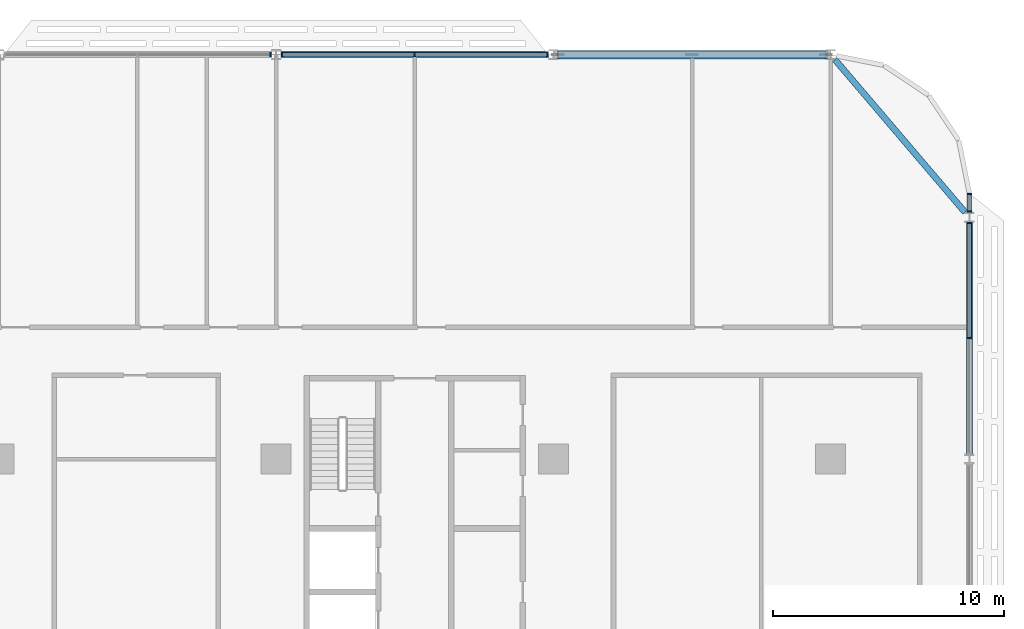
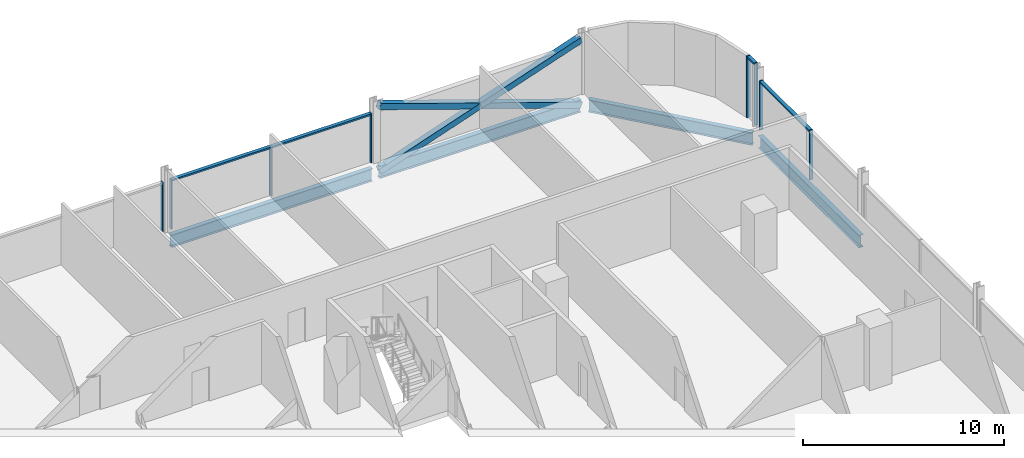
# One storey, part 10 of 28: 15 members, 4 beams, 4 elements without a shape of their own.
"""IFC4 building model written with IfcOpenShell, lengths in metres."""

from ifc_helpers import new_model, si_unit, direction, frame, origin, origin_2d, place, context, subcontext, project, spatial, rectangle, hollow_rectangle, i_section, extrude, material, material_profile, profile_set, type_object, element, aggregate, save


model = new_model("IFC4")

# Units and contexts
model_context = context("Model", 3, precision=1e-05, world=origin(), true_north=direction((0.0, 1.0)))
body_context = subcontext(model_context, "Body", "Model", "MODEL_VIEW")
ifc_project = project(units=[si_unit("LENGTHUNIT", "METRE"), si_unit("AREAUNIT", "SQUARE_METRE"), si_unit("VOLUMEUNIT", "CUBIC_METRE"), si_unit("PLANEANGLEUNIT", "RADIAN"), si_unit("MASSUNIT", "GRAM", prefix="KILO")], contexts=[model_context])

# Site, building, storey
site_placement = place(None, origin())
site = spatial("IfcSite", under=ifc_project, at=site_placement, CompositionType="ELEMENT")
building_placement = place(site_placement, origin())
building = spatial("IfcBuilding", under=site, at=building_placement, Name="Mahtab Terrace Research Tower", CompositionType="ELEMENT")
storey_placement = place(building_placement, frame((0.0, 0.0, 134.300048828125)))
storey = spatial("IfcBuildingStorey", under=building, at=storey_placement, Name="L31", CompositionType="ELEMENT", Elevation=134.300048828125)

# Members
ifc_material_1 = material(Name="Steel ASTM A500 Gr C", Category="steel")
ifc_material_profile_1 = material_profile(ifc_material_1, hollow_rectangle(XDim=0.355712890625, YDim=0.355712890625, WallThickness=0.01904296875, at=origin_2d()), Name="HSS14X14X3/4")
ifc_profile_set_1 = profile_set([ifc_material_profile_1], Name="Steel ASTM A500 Gr C")
member_type_1 = type_object("IfcMemberType", Name="HSS 14x14x3/4 brace XB141434", PredefinedType="BRACE", material=ifc_profile_set_1)
member_1_placement = place(storey_placement, frame((41.794189453125, 29.0, -0.648193359375), z_axis=(-0.946288278, 0.0, 0.323324132908), x_axis=(0.0, -1.0, 0.0)))
element("IfcMember", 1, at=member_1_placement, inside=storey, type_object=member_type_1, Name="Exoskeleton brace L31 01 a", PredefinedType="BRACE", context=body_context, shape_type="SweptSolid", body=[
    extrude(hollow_rectangle(XDim=0.355712890625, YDim=0.355712890625, WallThickness=0.01904296875, at=origin_2d()), origin(), (0.0, 0.0, 1.0), 12.24609375),
])
for number, where, z_axis, x_axis, name in (
    (2, (30.205810546875, 29.0, -0.648193359375), (0.946288278, 0.0, 0.323324132908), (0.0, 1.0, 0.0), "Exoskeleton brace L31 01 b1"),
    (3, (36.0, 29.0, 1.33154296875), (0.946288278, 0.0, 0.323324132908), (0.0, 1.0, 0.0), "Exoskeleton brace L31 01 b2"),
):
    element("IfcMember", number, at=place(storey_placement, frame(where, z_axis=z_axis, x_axis=x_axis)), inside=storey, type_object=member_type_1, Name=name, PredefinedType="BRACE", context=body_context, shape_type="SweptSolid", body=[
        extrude(hollow_rectangle(XDim=0.355712890625, YDim=0.355712890625, WallThickness=0.01904296875, at=origin_2d()), origin(), (0.0, 0.0, 1.0), 6.123046875),
    ])

# Curtain wall, members
ifc_material_2 = material(Name="Laboratory ribbon curtain wall")
curtain_wall_type = type_object("IfcCurtainWallType", Name="Laboratory ribbon curtain wall", PredefinedType="NOTDEFINED", material=ifc_material_2)
curtain_wall_1_placement = place(storey_placement, origin())
curtain_wall_1 = element("IfcCurtainWall", 4, at=curtain_wall_1_placement, inside=storey, type_object=curtain_wall_type, Name="EN.L31.3.4", PredefinedType="NOTDEFINED")
ifc_material_3 = material(Name="Natural anodised aluminium", Category="aluminium")
ifc_material_profile_2 = material_profile(ifc_material_3, rectangle(XDim=0.199951171875, YDim=0.06494140625, at=origin_2d()), Name="MULLION 65x200")
ifc_profile_set_2 = profile_set([ifc_material_profile_2], Name="Natural anodised aluminium")
member_type_2 = type_object("IfcMemberType", Name="Laboratory ribbon curtain wall mullion", PredefinedType="MULLION", material=ifc_profile_set_2)
member_2_placement = place(storey_placement, frame((29.74951171875, 29.0, 0.0), z_axis=(0.0, 0.0, 1.0), x_axis=(0.0, -1.0, 0.0)))
member_2 = element("IfcMember", 5, at=member_2_placement, type_object=member_type_2, Name="CWL-4 mullion 1", PredefinedType="MULLION", context=body_context, shape_type="SweptSolid", body=[
    extrude(rectangle(XDim=0.199951171875, YDim=0.06494140625, at=origin_2d()), origin(), (0.0, 0.0, 1.0), 3.0029296875),
])
member_3_placement = place(storey_placement, frame((24.0, 29.0, 0.0), z_axis=(0.0, 0.0, 1.0), x_axis=(0.0, -1.0, 0.0)))
member_3 = element("IfcMember", 6, at=member_3_placement, type_object=member_type_2, Name="CWL-4 mullion 2", PredefinedType="MULLION", context=body_context, shape_type="SweptSolid", body=[
    extrude(rectangle(XDim=0.199951171875, YDim=0.06494140625, at=origin_2d()), origin(), (0.0, 0.0, 1.0), 3.0029296875),
])
member_4_placement = place(storey_placement, frame((18.25048828125, 29.0, 0.0), z_axis=(0.0, 0.0, 1.0), x_axis=(0.0, -1.0, 0.0)))
member_4 = element("IfcMember", 7, at=member_4_placement, type_object=member_type_2, Name="CWL-4 mullion 3", PredefinedType="MULLION", context=body_context, shape_type="SweptSolid", body=[
    extrude(rectangle(XDim=0.199951171875, YDim=0.06494140625, at=origin_2d()), origin(), (0.0, 0.0, 1.0), 3.0029296875),
])

# Curtain wall, member
curtain_wall_2_placement = place(storey_placement, origin())
curtain_wall_2 = element("IfcCurtainWall", 8, at=curtain_wall_2_placement, inside=storey, type_object=curtain_wall_type, Name="EN.L31.3.5", PredefinedType="NOTDEFINED")
member_5_placement = place(storey_placement, frame((17.74951171875, 29.0, 0.0), z_axis=(0.0, 0.0, 1.0), x_axis=(0.0, -1.0, 0.0)))
member_5 = element("IfcMember", 9, at=member_5_placement, type_object=member_type_2, Name="CWL-4 mullion 1", PredefinedType="MULLION", context=body_context, shape_type="SweptSolid", body=[
    extrude(rectangle(XDim=0.199951171875, YDim=0.06494140625, at=origin_2d()), origin(), (0.0, 0.0, 1.0), 3.0029296875),
])
aggregate(curtain_wall_2, [member_5])

# Curtain wall, members
curtain_wall_3_placement = place(storey_placement, origin())
curtain_wall_3 = element("IfcCurtainWall", 10, at=curtain_wall_3_placement, inside=storey, type_object=curtain_wall_type, Name="EN.L31.18.38", PredefinedType="NOTDEFINED")
member_6_placement = place(storey_placement, frame((48.0, 16.73095703125, 0.0), z_axis=(0.0, 0.0, 1.0), x_axis=(-1.0, 0.0, 0.0)))
member_6 = element("IfcMember", 11, at=member_6_placement, type_object=member_type_2, Name="CWL-4 mullion 2", PredefinedType="MULLION", context=body_context, shape_type="SweptSolid", body=[
    extrude(rectangle(XDim=0.199951171875, YDim=0.06494140625, at=origin_2d()), origin(), (0.0, 0.0, 1.0), 3.0029296875),
])
member_7_placement = place(storey_placement, frame((48.0, 21.71142578125, 0.0), z_axis=(0.0, 0.0, 1.0), x_axis=(-1.0, 0.0, 0.0)))
member_7 = element("IfcMember", 12, at=member_7_placement, type_object=member_type_2, Name="CWL-4 mullion 3", PredefinedType="MULLION", context=body_context, shape_type="SweptSolid", body=[
    extrude(rectangle(XDim=0.199951171875, YDim=0.06494140625, at=origin_2d()), origin(), (0.0, 0.0, 1.0), 3.0029296875),
])

curtain_wall_4_placement = place(storey_placement, origin())
curtain_wall_4 = element("IfcCurtainWall", 13, at=curtain_wall_4_placement, inside=storey, type_object=curtain_wall_type, Name="EN.L31.18.39", PredefinedType="NOTDEFINED")
member_8_placement = place(storey_placement, frame((48.0, 22.21240234375, 0.0), z_axis=(0.0, 0.0, 1.0), x_axis=(-1.0, 0.0, 0.0)))
member_8 = element("IfcMember", 14, at=member_8_placement, type_object=member_type_2, Name="CWL-4 mullion 1", PredefinedType="MULLION", context=body_context, shape_type="SweptSolid", body=[
    extrude(rectangle(XDim=0.199951171875, YDim=0.06494140625, at=origin_2d()), origin(), (0.0, 0.0, 1.0), 3.760009765625),
])
member_9_placement = place(storey_placement, frame((48.0, 22.967529296875, 0.0), z_axis=(0.0, 0.0, 1.0), x_axis=(-1.0, 0.0, 0.0)))
member_9 = element("IfcMember", 15, at=member_9_placement, type_object=member_type_2, Name="CWL-4 mullion 2", PredefinedType="MULLION", context=body_context, shape_type="SweptSolid", body=[
    extrude(rectangle(XDim=0.199951171875, YDim=0.06494140625, at=origin_2d()), origin(), (0.0, 0.0, 1.0), 3.760009765625),
])

# Member
ifc_material_profile_3 = material_profile(ifc_material_3, rectangle(XDim=0.199951171875, YDim=0.10009765625, at=origin_2d()), Name="TRANSOM 100x200")
ifc_profile_set_3 = profile_set([ifc_material_profile_3], Name="Natural anodised aluminium")
member_type_3 = type_object("IfcMemberType", Name="Laboratory ribbon curtain wall transom", PredefinedType="USERDEFINED", material=ifc_profile_set_3)
member_10_placement = place(storey_placement, frame((29.717041015625, 29.0, 2.953125), z_axis=(-1.0, 0.0, 0.0), x_axis=(0.0, -1.0, 0.0)))
member_10 = element("IfcMember", 16, at=member_10_placement, type_object=member_type_3, Name="CWL-4 transom 1", ObjectType="TRANSOM", PredefinedType="USERDEFINED", context=body_context, shape_type="SweptSolid", body=[
    extrude(rectangle(XDim=0.199951171875, YDim=0.10009765625, at=origin_2d()), origin(), (0.0, 0.0, 1.0), 5.6845703125),
])

member_11_placement = place(storey_placement, frame((23.967529296875, 29.0, 2.953125), z_axis=(-1.0, 0.0, 0.0), x_axis=(0.0, -1.0, 0.0)))
member_11 = element("IfcMember", 17, at=member_11_placement, type_object=member_type_3, Name="CWL-4 transom 2", ObjectType="TRANSOM", PredefinedType="USERDEFINED", context=body_context, shape_type="SweptSolid", body=[
    extrude(rectangle(XDim=0.199951171875, YDim=0.10009765625, at=origin_2d()), origin(), (0.0, 0.0, 1.0), 5.6845703125),
])

aggregate(curtain_wall_1, [member_2, member_3, member_4, member_10, member_11])

member_12_placement = place(storey_placement, frame((48.0, 16.763427734375, 2.953125), z_axis=(0.0, 1.0, 0.0), x_axis=(-1.0, 0.0, 0.0)))
member_12 = element("IfcMember", 18, at=member_12_placement, type_object=member_type_3, Name="CWL-4 transom 2", ObjectType="TRANSOM", PredefinedType="USERDEFINED", context=body_context, shape_type="SweptSolid", body=[
    extrude(rectangle(XDim=0.199951171875, YDim=0.10009765625, at=origin_2d()), origin(), (0.0, 0.0, 1.0), 4.91552734375),
])

aggregate(curtain_wall_3, [member_6, member_7, member_12])

member_13_placement = place(storey_placement, frame((48.0, 22.2451171875, 3.7099609375), z_axis=(0.0, 1.0, 0.0), x_axis=(-1.0, 0.0, 0.0)))
member_13 = element("IfcMember", 19, at=member_13_placement, type_object=member_type_3, Name="CWL-4 transom 1", ObjectType="TRANSOM", PredefinedType="USERDEFINED", context=body_context, shape_type="SweptSolid", body=[
    extrude(rectangle(XDim=0.199951171875, YDim=0.10009765625, at=origin_2d()), origin(), (0.0, 0.0, 1.0), 0.68994140625),
])

aggregate(curtain_wall_4, [member_8, member_9, member_13])

# Beams
ifc_material_4 = material(Name="Steel ASTM A992 Gr 50", Category="steel")
ifc_material_profile_4 = material_profile(ifc_material_4, i_section(OverallWidth=0.2666015625, OverallDepth=0.7568359375, WebThickness=0.013916015625, FlangeThickness=0.019287109375, at=origin_2d()), Name="W30X108")
ifc_profile_set_4 = profile_set([ifc_material_profile_4], Name="Steel ASTM A992 Gr 50")
beam_type = type_object("IfcBeamType", Name="W30x108 beam BS30108", PredefinedType="BEAM", material=ifc_profile_set_4)
for number, where, z_axis, x_axis, name in (
    (20, (41.794189453125, 29.0, -0.718505859375), (-1.0, 0.0, 0.0), (0.0, -1.0, 0.0), "Spandrel beam L31 01"),
    (21, (29.794189453125, 29.0, -0.718505859375), (-1.0, 0.0, 0.0), (0.0, -1.0, 0.0), "Spandrel beam L31 02"),
):
    element("IfcBeam", number, at=place(storey_placement, frame(where, z_axis=z_axis, x_axis=x_axis)), inside=storey, type_object=beam_type, Name=name, PredefinedType="BEAM", context=body_context, shape_type="SweptSolid", body=[
        extrude(i_section(OverallWidth=0.2666015625, OverallDepth=0.7568359375, WebThickness=0.013916015625, FlangeThickness=0.019287109375, at=origin_2d()), origin(), (0.0, 0.0, 1.0), 11.58837890625),
    ])
beam_1_placement = place(storey_placement, frame((48.0, 11.717041015625, -0.718505859375), z_axis=(0.0, 1.0, 0.0), x_axis=(-1.0, 0.0, 0.0)))
element("IfcBeam", 22, at=beam_1_placement, inside=storey, type_object=beam_type, Name="Spandrel beam L31 24", PredefinedType="BEAM", context=body_context, shape_type="SweptSolid", body=[
    extrude(i_section(OverallWidth=0.2666015625, OverallDepth=0.7568359375, WebThickness=0.013916015625, FlangeThickness=0.019287109375, at=origin_2d()), origin(), (0.0, 0.0, 1.0), 10.02783203125),
])
beam_2_placement = place(storey_placement, frame((47.81494140625, 22.17919921875, -0.718505859375), z_axis=(-0.648764091423, 0.760989588417, 0.0), x_axis=(-0.760989588417, -0.648764091423, 0.0)))
element("IfcBeam", 23, at=beam_2_placement, inside=storey, type_object=beam_type, Name="Spandrel beam L31 25", PredefinedType="BEAM", context=body_context, shape_type="SweptSolid", body=[
    extrude(i_section(OverallWidth=0.2666015625, OverallDepth=0.7568359375, WebThickness=0.013916015625, FlangeThickness=0.019287109375, at=origin_2d()), origin(), (0.0, 0.0, 1.0), 8.677978515625),
])

save(model, "model.ifc")
